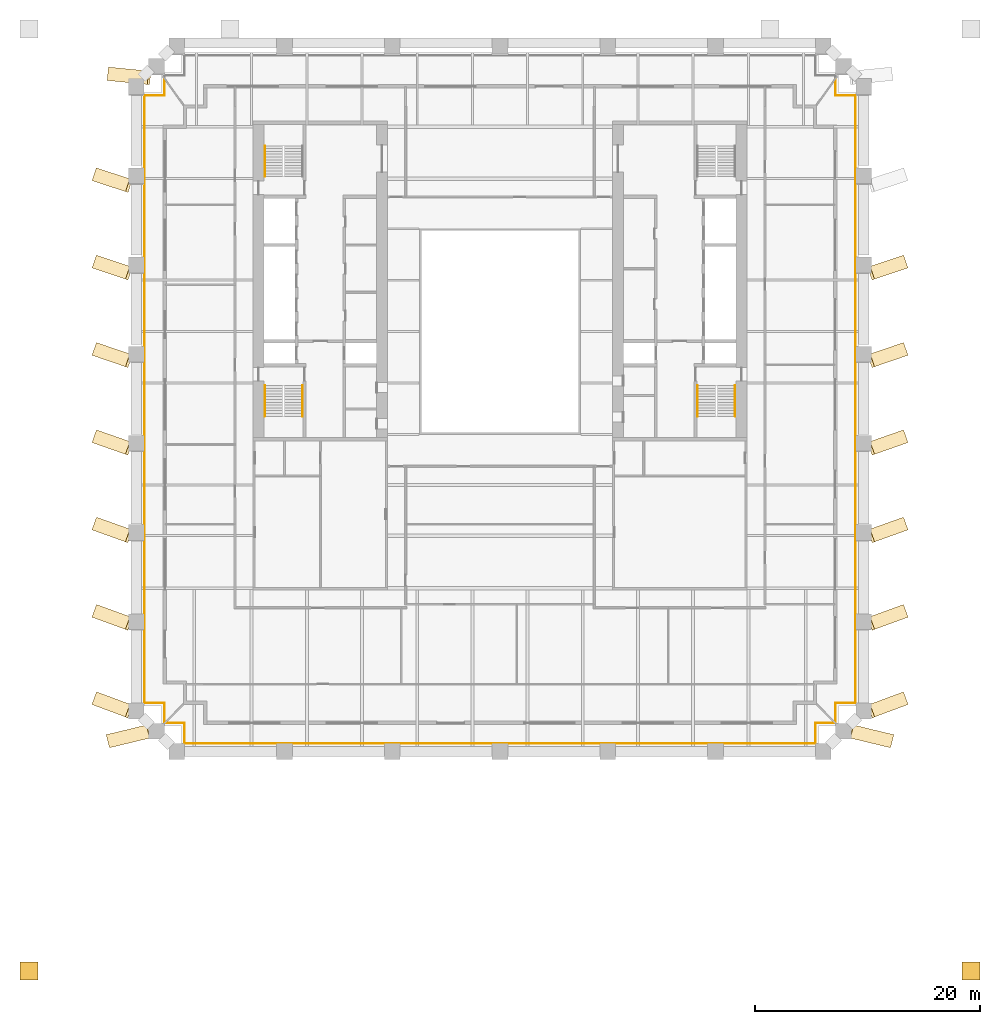
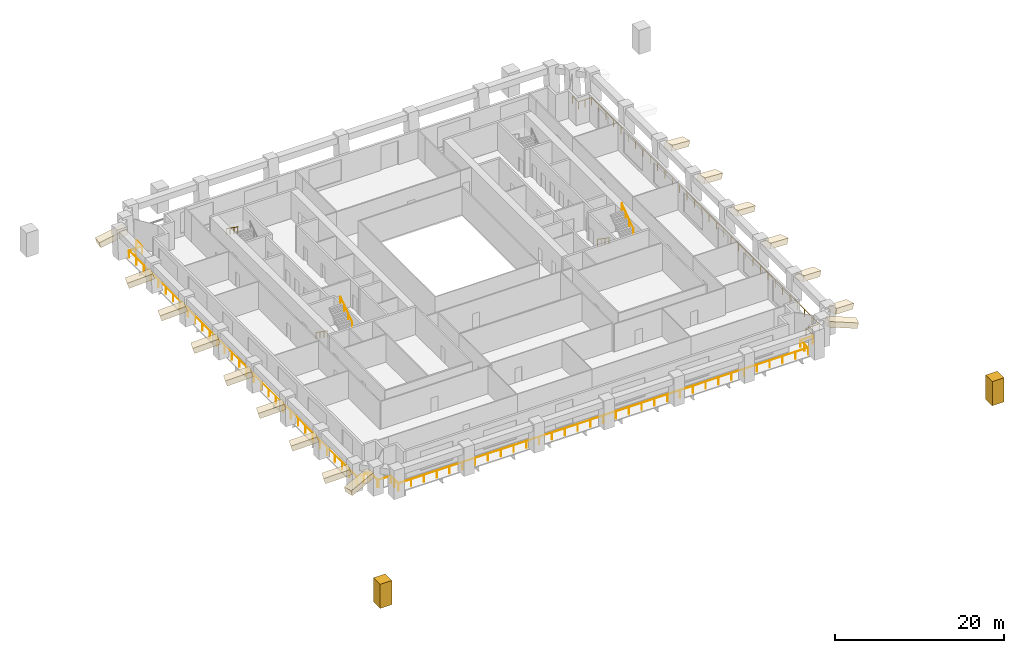
# One storey, part 9 of 10: 18 coverings, 8 railings.
"""IFC4 building model written with IfcOpenShell, lengths in metres."""

from ifc_helpers import new_model, si_unit, direction, frame, origin, origin_2d, place, context, subcontext, project, spatial, rectangle, circle, extrude, material, material_profile, profile_set, type_object, element, save


model = new_model("IFC4")

# Units and contexts
model_context = context("Model", 3, precision=1e-05, world=origin(), true_north=direction((0.0, 1.0)))
body_context = subcontext(model_context, "Body", "Model", "MODEL_VIEW")
ifc_project = project(units=[si_unit("LENGTHUNIT", "METRE"), si_unit("AREAUNIT", "SQUARE_METRE"), si_unit("VOLUMEUNIT", "CUBIC_METRE"), si_unit("PLANEANGLEUNIT", "RADIAN"), si_unit("MASSUNIT", "GRAM", prefix="KILO")], contexts=[model_context])

# Site, building, storey
site_placement = place(None, origin())
site = spatial("IfcSite", under=ifc_project, at=site_placement, CompositionType="ELEMENT")
building_placement = place(site_placement, origin())
building = spatial("IfcBuilding", under=site, at=building_placement, Name="Ogive Exchange Tower", CompositionType="ELEMENT")
storey_placement = place(building_placement, frame((0.0, 0.0, 43.800048828125)))
storey = spatial("IfcBuildingStorey", under=building, at=storey_placement, Name="L08", CompositionType="ELEMENT", Elevation=43.800048828125)

# Railings
ifc_material_1 = material(Name="Stainless steel 316", Category="steel")
railing_type_1 = type_object("IfcRailingType", Name="Guard 1100 stainless steel and glass", PredefinedType="GUARDRAIL", material=ifc_material_1)
railing_1_placement = place(storey_placement, frame((29.7880859375, -27.8798828125, -0.050048828125)))
element("IfcRailing", 1, at=railing_1_placement, inside=storey, type_object=railing_type_1, Name="Loggia guard 1", PredefinedType="GUARDRAIL", context=body_context, shape_type="SweptSolid", body=[
    extrude(circle(Radius=0.02392578125, at=origin_2d()), frame((0.0, 0.0, 1.076171875), z_axis=(-1.0, 0.0, 0.0), x_axis=(0.0, -1.0, 0.0)), (0.0, 0.0, 1.0), 1.7080078125),
    extrude(circle(Radius=0.02392578125, at=origin_2d()), frame((-1.7080078125, 0.0, 1.076171875), z_axis=(0.0, -1.0, 0.0), x_axis=(1.0, 0.0, 0.0)), (0.0, 0.0, 1.0), 1.800048828125),
    extrude(circle(Radius=0.02392578125, at=origin_2d()), frame((-1.7080078125, -1.800048828125, 1.076171875), z_axis=(-1.0, 0.0, 0.0), x_axis=(0.0, -1.0, 0.0)), (0.0, 0.0, 1.0), 56.16015625),
    extrude(circle(Radius=0.02392578125, at=origin_2d()), frame((-57.8681640625, -1.800048828125, 1.076171875), z_axis=(0.0, 1.0, 0.0), x_axis=(-1.0, 0.0, 0.0)), (0.0, 0.0, 1.0), 1.800048828125),
    extrude(circle(Radius=0.02392578125, at=origin_2d()), frame((-57.8681640625, 0.0, 1.076171875), z_axis=(-1.0, 0.0, 0.0), x_axis=(0.0, -1.0, 0.0)), (0.0, 0.0, 1.0), 1.7080078125),
    extrude(circle(Radius=0.02099609375, at=origin_2d()), origin(), (0.0, 0.0, 1.0), 1.052001953125),
    extrude(circle(Radius=0.02099609375, at=origin_2d()), frame((-1.7080078125, 0.0, 0.0)), (0.0, 0.0, 1.0), 1.052001953125),
    extrude(circle(Radius=0.02099609375, at=origin_2d()), frame((-1.7080078125, -0.89990234375, 0.0)), (0.0, 0.0, 1.0), 1.052001953125),
    extrude(circle(Radius=0.02099609375, at=origin_2d()), frame((-1.7080078125, -1.800048828125, 0.0)), (0.0, 0.0, 1.0), 1.052001953125),
    extrude(circle(Radius=0.02099609375, at=origin_2d()), frame((-3.462890625, -1.800048828125, 0.0)), (0.0, 0.0, 1.0), 1.052001953125),
    extrude(circle(Radius=0.02099609375, at=origin_2d()), frame((-5.218017578125, -1.800048828125, 0.0)), (0.0, 0.0, 1.0), 1.052001953125),
    extrude(circle(Radius=0.02099609375, at=origin_2d()), frame((-6.97314453125, -1.800048828125, 0.0)), (0.0, 0.0, 1.0), 1.052001953125),
    extrude(circle(Radius=0.02099609375, at=origin_2d()), frame((-8.72802734375, -1.800048828125, 0.0)), (0.0, 0.0, 1.0), 1.052001953125),
    extrude(circle(Radius=0.02099609375, at=origin_2d()), frame((-10.48291015625, -1.800048828125, 0.0)), (0.0, 0.0, 1.0), 1.052001953125),
    extrude(circle(Radius=0.02099609375, at=origin_2d()), frame((-12.238037109375, -1.800048828125, 0.0)), (0.0, 0.0, 1.0), 1.052001953125),
    extrude(circle(Radius=0.02099609375, at=origin_2d()), frame((-13.9931640625, -1.800048828125, 0.0)), (0.0, 0.0, 1.0), 1.052001953125),
    extrude(circle(Radius=0.02099609375, at=origin_2d()), frame((-15.748046875, -1.800048828125, 0.0)), (0.0, 0.0, 1.0), 1.052001953125),
    extrude(circle(Radius=0.02099609375, at=origin_2d()), frame((-17.5029296875, -1.800048828125, 0.0)), (0.0, 0.0, 1.0), 1.052001953125),
    extrude(circle(Radius=0.02099609375, at=origin_2d()), frame((-19.258056640625, -1.800048828125, 0.0)), (0.0, 0.0, 1.0), 1.052001953125),
    extrude(circle(Radius=0.02099609375, at=origin_2d()), frame((-21.01318359375, -1.800048828125, 0.0)), (0.0, 0.0, 1.0), 1.052001953125),
    extrude(circle(Radius=0.02099609375, at=origin_2d()), frame((-22.76806640625, -1.800048828125, 0.0)), (0.0, 0.0, 1.0), 1.052001953125),
    extrude(circle(Radius=0.02099609375, at=origin_2d()), frame((-24.52294921875, -1.800048828125, 0.0)), (0.0, 0.0, 1.0), 1.052001953125),
    extrude(circle(Radius=0.02099609375, at=origin_2d()), frame((-26.278076171875, -1.800048828125, 0.0)), (0.0, 0.0, 1.0), 1.052001953125),
    extrude(circle(Radius=0.02099609375, at=origin_2d()), frame((-28.033203125, -1.800048828125, 0.0)), (0.0, 0.0, 1.0), 1.052001953125),
    extrude(circle(Radius=0.02099609375, at=origin_2d()), frame((-29.7880859375, -1.800048828125, 0.0)), (0.0, 0.0, 1.0), 1.052001953125),
    extrude(circle(Radius=0.02099609375, at=origin_2d()), frame((-31.54296875, -1.800048828125, 0.0)), (0.0, 0.0, 1.0), 1.052001953125),
    extrude(circle(Radius=0.02099609375, at=origin_2d()), frame((-33.298095703125, -1.800048828125, 0.0)), (0.0, 0.0, 1.0), 1.052001953125),
    extrude(circle(Radius=0.02099609375, at=origin_2d()), frame((-35.05322265625, -1.800048828125, 0.0)), (0.0, 0.0, 1.0), 1.052001953125),
    extrude(circle(Radius=0.02099609375, at=origin_2d()), frame((-36.80810546875, -1.800048828125, 0.0)), (0.0, 0.0, 1.0), 1.052001953125),
    extrude(circle(Radius=0.02099609375, at=origin_2d()), frame((-38.56298828125, -1.800048828125, 0.0)), (0.0, 0.0, 1.0), 1.052001953125),
    extrude(circle(Radius=0.02099609375, at=origin_2d()), frame((-40.318115234375, -1.800048828125, 0.0)), (0.0, 0.0, 1.0), 1.052001953125),
    extrude(circle(Radius=0.02099609375, at=origin_2d()), frame((-42.0732421875, -1.800048828125, 0.0)), (0.0, 0.0, 1.0), 1.052001953125),
    extrude(circle(Radius=0.02099609375, at=origin_2d()), frame((-43.828125, -1.800048828125, 0.0)), (0.0, 0.0, 1.0), 1.052001953125),
    extrude(circle(Radius=0.02099609375, at=origin_2d()), frame((-45.5830078125, -1.800048828125, 0.0)), (0.0, 0.0, 1.0), 1.052001953125),
    extrude(circle(Radius=0.02099609375, at=origin_2d()), frame((-47.338134765625, -1.800048828125, 0.0)), (0.0, 0.0, 1.0), 1.052001953125),
    extrude(circle(Radius=0.02099609375, at=origin_2d()), frame((-49.09326171875, -1.800048828125, 0.0)), (0.0, 0.0, 1.0), 1.052001953125),
    extrude(circle(Radius=0.02099609375, at=origin_2d()), frame((-50.84814453125, -1.800048828125, 0.0)), (0.0, 0.0, 1.0), 1.052001953125),
    extrude(circle(Radius=0.02099609375, at=origin_2d()), frame((-52.60302734375, -1.800048828125, 0.0)), (0.0, 0.0, 1.0), 1.052001953125),
    extrude(circle(Radius=0.02099609375, at=origin_2d()), frame((-54.358154296875, -1.800048828125, 0.0)), (0.0, 0.0, 1.0), 1.052001953125),
    extrude(circle(Radius=0.02099609375, at=origin_2d()), frame((-56.11328125, -1.800048828125, 0.0)), (0.0, 0.0, 1.0), 1.052001953125),
    extrude(circle(Radius=0.02099609375, at=origin_2d()), frame((-57.8681640625, -1.800048828125, 0.0)), (0.0, 0.0, 1.0), 1.052001953125),
    extrude(circle(Radius=0.02099609375, at=origin_2d()), frame((-57.8681640625, -0.89990234375, 0.0)), (0.0, 0.0, 1.0), 1.052001953125),
    extrude(circle(Radius=0.02099609375, at=origin_2d()), frame((-57.8681640625, 0.0, 0.0)), (0.0, 0.0, 1.0), 1.052001953125),
    extrude(circle(Radius=0.02099609375, at=origin_2d()), frame((-59.576171875, 0.0, 0.0)), (0.0, 0.0, 1.0), 1.052001953125),
])
railing_2_placement = place(storey_placement, frame((-29.8798828125, -27.7880859375, -0.050048828125)))
element("IfcRailing", 2, at=railing_2_placement, inside=storey, type_object=railing_type_1, Name="Loggia guard 2", PredefinedType="GUARDRAIL", context=body_context, shape_type="SweptSolid", body=[
    extrude(circle(Radius=0.02392578125, at=origin_2d()), frame((0.0, 0.0, 1.076171875), z_axis=(0.0, 1.0, 0.0), x_axis=(-1.0, 0.0, 0.0)), (0.0, 0.0, 1.0), 1.7080078125),
    extrude(circle(Radius=0.02392578125, at=origin_2d()), frame((0.0, 1.7080078125, 1.076171875), z_axis=(-1.0, 0.0, 0.0), x_axis=(0.0, -1.0, 0.0)), (0.0, 0.0, 1.0), 1.800048828125),
    extrude(circle(Radius=0.02392578125, at=origin_2d()), frame((-1.800048828125, 1.7080078125, 1.076171875), z_axis=(0.0, 1.0, 0.0), x_axis=(-1.0, 0.0, 0.0)), (0.0, 0.0, 1.0), 54.08740234375),
    extrude(circle(Radius=0.02392578125, at=origin_2d()), frame((-1.800048828125, 55.79541015625, 1.076171875), z_axis=(1.0, 0.0, 0.0), x_axis=(0.0, 1.0, 0.0)), (0.0, 0.0, 1.0), 1.800048828125),
    extrude(circle(Radius=0.02392578125, at=origin_2d()), frame((0.0, 55.79541015625, 1.076171875), z_axis=(0.0, 1.0, 0.0), x_axis=(-1.0, 0.0, 0.0)), (0.0, 0.0, 1.0), 1.41064453125),
    extrude(circle(Radius=0.02099609375, at=origin_2d()), origin(), (0.0, 0.0, 1.0), 1.052001953125),
    extrude(circle(Radius=0.02099609375, at=origin_2d()), frame((0.0, 1.7080078125, 0.0)), (0.0, 0.0, 1.0), 1.052001953125),
    extrude(circle(Radius=0.02099609375, at=origin_2d()), frame((-0.89990234375, 1.7080078125, 0.0)), (0.0, 0.0, 1.0), 1.052001953125),
    extrude(circle(Radius=0.02099609375, at=origin_2d()), frame((-1.800048828125, 1.7080078125, 0.0)), (0.0, 0.0, 1.0), 1.052001953125),
    extrude(circle(Radius=0.02099609375, at=origin_2d()), frame((-1.800048828125, 3.452880859375, 0.0)), (0.0, 0.0, 1.0), 1.052001953125),
    extrude(circle(Radius=0.02099609375, at=origin_2d()), frame((-1.800048828125, 5.197509765625, 0.0)), (0.0, 0.0, 1.0), 1.052001953125),
    extrude(circle(Radius=0.02099609375, at=origin_2d()), frame((-1.800048828125, 6.9423828125, 0.0)), (0.0, 0.0, 1.0), 1.052001953125),
    extrude(circle(Radius=0.02099609375, at=origin_2d()), frame((-1.800048828125, 8.68701171875, 0.0)), (0.0, 0.0, 1.0), 1.052001953125),
    extrude(circle(Radius=0.02099609375, at=origin_2d()), frame((-1.800048828125, 10.431884765625, 0.0)), (0.0, 0.0, 1.0), 1.052001953125),
    extrude(circle(Radius=0.02099609375, at=origin_2d()), frame((-1.800048828125, 12.176513671875, 0.0)), (0.0, 0.0, 1.0), 1.052001953125),
    extrude(circle(Radius=0.02099609375, at=origin_2d()), frame((-1.800048828125, 13.92138671875, 0.0)), (0.0, 0.0, 1.0), 1.052001953125),
    extrude(circle(Radius=0.02099609375, at=origin_2d()), frame((-1.800048828125, 15.666015625, 0.0)), (0.0, 0.0, 1.0), 1.052001953125),
    extrude(circle(Radius=0.02099609375, at=origin_2d()), frame((-1.800048828125, 17.410888671875, 0.0)), (0.0, 0.0, 1.0), 1.052001953125),
    extrude(circle(Radius=0.02099609375, at=origin_2d()), frame((-1.800048828125, 19.155517578125, 0.0)), (0.0, 0.0, 1.0), 1.052001953125),
    extrude(circle(Radius=0.02099609375, at=origin_2d()), frame((-1.800048828125, 20.900390625, 0.0)), (0.0, 0.0, 1.0), 1.052001953125),
    extrude(circle(Radius=0.02099609375, at=origin_2d()), frame((-1.800048828125, 22.64501953125, 0.0)), (0.0, 0.0, 1.0), 1.052001953125),
    extrude(circle(Radius=0.02099609375, at=origin_2d()), frame((-1.800048828125, 24.389892578125, 0.0)), (0.0, 0.0, 1.0), 1.052001953125),
    extrude(circle(Radius=0.02099609375, at=origin_2d()), frame((-1.800048828125, 26.134521484375, 0.0)), (0.0, 0.0, 1.0), 1.052001953125),
    extrude(circle(Radius=0.02099609375, at=origin_2d()), frame((-1.800048828125, 27.87939453125, 0.0)), (0.0, 0.0, 1.0), 1.052001953125),
    extrude(circle(Radius=0.02099609375, at=origin_2d()), frame((-1.800048828125, 29.6240234375, 0.0)), (0.0, 0.0, 1.0), 1.052001953125),
    extrude(circle(Radius=0.02099609375, at=origin_2d()), frame((-1.800048828125, 31.368896484375, 0.0)), (0.0, 0.0, 1.0), 1.052001953125),
    extrude(circle(Radius=0.02099609375, at=origin_2d()), frame((-1.800048828125, 33.113525390625, 0.0)), (0.0, 0.0, 1.0), 1.052001953125),
    extrude(circle(Radius=0.02099609375, at=origin_2d()), frame((-1.800048828125, 34.8583984375, 0.0)), (0.0, 0.0, 1.0), 1.052001953125),
    extrude(circle(Radius=0.02099609375, at=origin_2d()), frame((-1.800048828125, 36.60302734375, 0.0)), (0.0, 0.0, 1.0), 1.052001953125),
    extrude(circle(Radius=0.02099609375, at=origin_2d()), frame((-1.800048828125, 38.347900390625, 0.0)), (0.0, 0.0, 1.0), 1.052001953125),
    extrude(circle(Radius=0.02099609375, at=origin_2d()), frame((-1.800048828125, 40.092529296875, 0.0)), (0.0, 0.0, 1.0), 1.052001953125),
    extrude(circle(Radius=0.02099609375, at=origin_2d()), frame((-1.800048828125, 41.83740234375, 0.0)), (0.0, 0.0, 1.0), 1.052001953125),
    extrude(circle(Radius=0.02099609375, at=origin_2d()), frame((-1.800048828125, 43.58203125, 0.0)), (0.0, 0.0, 1.0), 1.052001953125),
    extrude(circle(Radius=0.02099609375, at=origin_2d()), frame((-1.800048828125, 45.326904296875, 0.0)), (0.0, 0.0, 1.0), 1.052001953125),
    extrude(circle(Radius=0.02099609375, at=origin_2d()), frame((-1.800048828125, 47.071533203125, 0.0)), (0.0, 0.0, 1.0), 1.052001953125),
    extrude(circle(Radius=0.02099609375, at=origin_2d()), frame((-1.800048828125, 48.81640625, 0.0)), (0.0, 0.0, 1.0), 1.052001953125),
    extrude(circle(Radius=0.02099609375, at=origin_2d()), frame((-1.800048828125, 50.56103515625, 0.0)), (0.0, 0.0, 1.0), 1.052001953125),
    extrude(circle(Radius=0.02099609375, at=origin_2d()), frame((-1.800048828125, 52.305908203125, 0.0)), (0.0, 0.0, 1.0), 1.052001953125),
    extrude(circle(Radius=0.02099609375, at=origin_2d()), frame((-1.800048828125, 54.050537109375, 0.0)), (0.0, 0.0, 1.0), 1.052001953125),
    extrude(circle(Radius=0.02099609375, at=origin_2d()), frame((-1.800048828125, 55.79541015625, 0.0)), (0.0, 0.0, 1.0), 1.052001953125),
    extrude(circle(Radius=0.02099609375, at=origin_2d()), frame((-0.89990234375, 55.79541015625, 0.0)), (0.0, 0.0, 1.0), 1.052001953125),
    extrude(circle(Radius=0.02099609375, at=origin_2d()), frame((0.0, 55.79541015625, 0.0)), (0.0, 0.0, 1.0), 1.052001953125),
    extrude(circle(Radius=0.02099609375, at=origin_2d()), frame((0.0, 57.2060546875, 0.0)), (0.0, 0.0, 1.0), 1.052001953125),
])
railing_3_placement = place(storey_placement, frame((29.8798828125, 29.41796875, -0.050048828125)))
element("IfcRailing", 3, at=railing_3_placement, inside=storey, type_object=railing_type_1, Name="Loggia guard 4", PredefinedType="GUARDRAIL", context=body_context, shape_type="SweptSolid", body=[
    extrude(circle(Radius=0.02392578125, at=origin_2d()), frame((0.0, 0.0, 1.076171875), z_axis=(0.0, -1.0, 0.0), x_axis=(1.0, 0.0, 0.0)), (0.0, 0.0, 1.0), 1.41064453125),
    extrude(circle(Radius=0.02392578125, at=origin_2d()), frame((0.0, -1.41064453125, 1.076171875), z_axis=(1.0, 0.0, 0.0), x_axis=(0.0, 1.0, 0.0)), (0.0, 0.0, 1.0), 1.800048828125),
    extrude(circle(Radius=0.02392578125, at=origin_2d()), frame((1.800048828125, -1.41064453125, 1.076171875), z_axis=(0.0, -1.0, 0.0), x_axis=(1.0, 0.0, 0.0)), (0.0, 0.0, 1.0), 54.08740234375),
    extrude(circle(Radius=0.02392578125, at=origin_2d()), frame((1.800048828125, -55.498046875, 1.076171875), z_axis=(-1.0, 0.0, 0.0), x_axis=(0.0, -1.0, 0.0)), (0.0, 0.0, 1.0), 1.800048828125),
    extrude(circle(Radius=0.02392578125, at=origin_2d()), frame((0.0, -55.498046875, 1.076171875), z_axis=(0.0, -1.0, 0.0), x_axis=(1.0, 0.0, 0.0)), (0.0, 0.0, 1.0), 1.7080078125),
    extrude(circle(Radius=0.02099609375, at=origin_2d()), origin(), (0.0, 0.0, 1.0), 1.052001953125),
    extrude(circle(Radius=0.02099609375, at=origin_2d()), frame((0.0, -1.41064453125, 0.0)), (0.0, 0.0, 1.0), 1.052001953125),
    extrude(circle(Radius=0.02099609375, at=origin_2d()), frame((0.89990234375, -1.41064453125, 0.0)), (0.0, 0.0, 1.0), 1.052001953125),
    extrude(circle(Radius=0.02099609375, at=origin_2d()), frame((1.800048828125, -1.41064453125, 0.0)), (0.0, 0.0, 1.0), 1.052001953125),
    extrude(circle(Radius=0.02099609375, at=origin_2d()), frame((1.800048828125, -3.155517578125, 0.0)), (0.0, 0.0, 1.0), 1.052001953125),
    extrude(circle(Radius=0.02099609375, at=origin_2d()), frame((1.800048828125, -4.900146484375, 0.0)), (0.0, 0.0, 1.0), 1.052001953125),
    extrude(circle(Radius=0.02099609375, at=origin_2d()), frame((1.800048828125, -6.64501953125, 0.0)), (0.0, 0.0, 1.0), 1.052001953125),
    extrude(circle(Radius=0.02099609375, at=origin_2d()), frame((1.800048828125, -8.3896484375, 0.0)), (0.0, 0.0, 1.0), 1.052001953125),
    extrude(circle(Radius=0.02099609375, at=origin_2d()), frame((1.800048828125, -10.134521484375, 0.0)), (0.0, 0.0, 1.0), 1.052001953125),
    extrude(circle(Radius=0.02099609375, at=origin_2d()), frame((1.800048828125, -11.879150390625, 0.0)), (0.0, 0.0, 1.0), 1.052001953125),
    extrude(circle(Radius=0.02099609375, at=origin_2d()), frame((1.800048828125, -13.6240234375, 0.0)), (0.0, 0.0, 1.0), 1.052001953125),
    extrude(circle(Radius=0.02099609375, at=origin_2d()), frame((1.800048828125, -15.36865234375, 0.0)), (0.0, 0.0, 1.0), 1.052001953125),
    extrude(circle(Radius=0.02099609375, at=origin_2d()), frame((1.800048828125, -17.113525390625, 0.0)), (0.0, 0.0, 1.0), 1.052001953125),
    extrude(circle(Radius=0.02099609375, at=origin_2d()), frame((1.800048828125, -18.858154296875, 0.0)), (0.0, 0.0, 1.0), 1.052001953125),
    extrude(circle(Radius=0.02099609375, at=origin_2d()), frame((1.800048828125, -20.60302734375, 0.0)), (0.0, 0.0, 1.0), 1.052001953125),
    extrude(circle(Radius=0.02099609375, at=origin_2d()), frame((1.800048828125, -22.34765625, 0.0)), (0.0, 0.0, 1.0), 1.052001953125),
    extrude(circle(Radius=0.02099609375, at=origin_2d()), frame((1.800048828125, -24.092529296875, 0.0)), (0.0, 0.0, 1.0), 1.052001953125),
    extrude(circle(Radius=0.02099609375, at=origin_2d()), frame((1.800048828125, -25.837158203125, 0.0)), (0.0, 0.0, 1.0), 1.052001953125),
    extrude(circle(Radius=0.02099609375, at=origin_2d()), frame((1.800048828125, -27.58203125, 0.0)), (0.0, 0.0, 1.0), 1.052001953125),
    extrude(circle(Radius=0.02099609375, at=origin_2d()), frame((1.800048828125, -29.32666015625, 0.0)), (0.0, 0.0, 1.0), 1.052001953125),
    extrude(circle(Radius=0.02099609375, at=origin_2d()), frame((1.800048828125, -31.071533203125, 0.0)), (0.0, 0.0, 1.0), 1.052001953125),
    extrude(circle(Radius=0.02099609375, at=origin_2d()), frame((1.800048828125, -32.816162109375, 0.0)), (0.0, 0.0, 1.0), 1.052001953125),
    extrude(circle(Radius=0.02099609375, at=origin_2d()), frame((1.800048828125, -34.56103515625, 0.0)), (0.0, 0.0, 1.0), 1.052001953125),
    extrude(circle(Radius=0.02099609375, at=origin_2d()), frame((1.800048828125, -36.3056640625, 0.0)), (0.0, 0.0, 1.0), 1.052001953125),
    extrude(circle(Radius=0.02099609375, at=origin_2d()), frame((1.800048828125, -38.050537109375, 0.0)), (0.0, 0.0, 1.0), 1.052001953125),
    extrude(circle(Radius=0.02099609375, at=origin_2d()), frame((1.800048828125, -39.795166015625, 0.0)), (0.0, 0.0, 1.0), 1.052001953125),
    extrude(circle(Radius=0.02099609375, at=origin_2d()), frame((1.800048828125, -41.5400390625, 0.0)), (0.0, 0.0, 1.0), 1.052001953125),
    extrude(circle(Radius=0.02099609375, at=origin_2d()), frame((1.800048828125, -43.28466796875, 0.0)), (0.0, 0.0, 1.0), 1.052001953125),
    extrude(circle(Radius=0.02099609375, at=origin_2d()), frame((1.800048828125, -45.029541015625, 0.0)), (0.0, 0.0, 1.0), 1.052001953125),
    extrude(circle(Radius=0.02099609375, at=origin_2d()), frame((1.800048828125, -46.774169921875, 0.0)), (0.0, 0.0, 1.0), 1.052001953125),
    extrude(circle(Radius=0.02099609375, at=origin_2d()), frame((1.800048828125, -48.51904296875, 0.0)), (0.0, 0.0, 1.0), 1.052001953125),
    extrude(circle(Radius=0.02099609375, at=origin_2d()), frame((1.800048828125, -50.263671875, 0.0)), (0.0, 0.0, 1.0), 1.052001953125),
    extrude(circle(Radius=0.02099609375, at=origin_2d()), frame((1.800048828125, -52.008544921875, 0.0)), (0.0, 0.0, 1.0), 1.052001953125),
    extrude(circle(Radius=0.02099609375, at=origin_2d()), frame((1.800048828125, -53.753173828125, 0.0)), (0.0, 0.0, 1.0), 1.052001953125),
    extrude(circle(Radius=0.02099609375, at=origin_2d()), frame((1.800048828125, -55.498046875, 0.0)), (0.0, 0.0, 1.0), 1.052001953125),
    extrude(circle(Radius=0.02099609375, at=origin_2d()), frame((0.89990234375, -55.498046875, 0.0)), (0.0, 0.0, 1.0), 1.052001953125),
    extrude(circle(Radius=0.02099609375, at=origin_2d()), frame((0.0, -55.498046875, 0.0)), (0.0, 0.0, 1.0), 1.052001953125),
    extrude(circle(Radius=0.02099609375, at=origin_2d()), frame((0.0, -57.2060546875, 0.0)), (0.0, 0.0, 1.0), 1.052001953125),
])

# Coverings
ifc_material_2 = material(Name="Precast concrete C50/60", Category="concrete")
ifc_material_profile_1 = material_profile(ifc_material_2, rectangle(XDim=1.60009765625, YDim=1.60009765625, at=origin_2d()), Name="CORNER TURRET 3 1600 x 1600")
ifc_profile_set_1 = profile_set([ifc_material_profile_1], Name="Precast concrete C50/60")
covering_type_1 = type_object("IfcCoveringType", Name="Precast corner turret stage 3 1600 x 1600 C50/60", PredefinedType="CLADDING", material=ifc_profile_set_1)
for number, where, z_axis, x_axis, name in (
    (4, (-41.949951171875, -49.949951171875, 0.800048828125), (0.0, 0.0, 1.0), (1.0, 0.0, 0.0), "Corner turret 5 stage 3"),
    (5, (41.949951171875, -49.949951171875, 0.800048828125), (0.0, 0.0, 1.0), (1.0, 0.0, 0.0), "Corner turret 6 stage 3"),
):
    element("IfcCovering", number, at=place(storey_placement, frame(where, z_axis=z_axis, x_axis=x_axis)), inside=storey, type_object=covering_type_1, Name=name, PredefinedType="CLADDING", context=body_context, shape_type="SweptSolid", body=[
        extrude(rectangle(XDim=1.60009765625, YDim=1.60009765625, at=origin_2d()), origin(), (0.0, 0.0, 1.0), 3.5),
    ])
ifc_material_profile_2 = material_profile(ifc_material_2, rectangle(XDim=1.199951171875, YDim=0.800048828125, at=origin_2d()), Name="FLYING BUTTRESS 3 1200 x 800")
ifc_profile_set_2 = profile_set([ifc_material_profile_2], Name="Precast concrete C50/60")
covering_type_2 = type_object("IfcCoveringType", Name="Precast flying buttress stage 3 1200 x 800 C50/60", PredefinedType="CLADDING", material=ifc_profile_set_2)
covering_1_placement = place(storey_placement, frame((-34.8330078125, 29.949951171875, 2.10595703125), z_axis=(0.962713301589, -0.094001646305, 0.253666689646), x_axis=(0.097180248137, 0.995266798086, 0.0)))
element("IfcCovering", 6, at=covering_1_placement, inside=storey, type_object=covering_type_2, Name="Flying buttress 1 stage 3", PredefinedType="CLADDING", context=body_context, shape_type="SweptSolid", body=[
    extrude(rectangle(XDim=1.199951171875, YDim=0.800048828125, at=origin_2d()), origin(), (0.0, 0.0, 1.0), 3.7216796875),
])
for number, where, z_axis, x_axis, name in (
    (7, (-34.8330078125, -29.462890625, 2.10595703125), (0.941799556737, 0.22678656538, 0.248156097431), (-0.234109496796, 0.972210236271, 0.0), "Flying buttress 3 stage 3"),
    (8, (34.8330078125, -29.462890625, 2.10595703125), (-0.941799556737, 0.22678656538, 0.248156097431), (-0.234109496796, -0.972210236271, 0.0), "Flying buttress 4 stage 3"),
):
    element("IfcCovering", number, at=place(storey_placement, frame(where, z_axis=z_axis, x_axis=x_axis)), inside=storey, type_object=covering_type_2, Name=name, PredefinedType="CLADDING", context=body_context, shape_type="SweptSolid", body=[
        extrude(rectangle(XDim=1.199951171875, YDim=0.800048828125, at=origin_2d()), origin(), (0.0, 0.0, 1.0), 3.804443359375),
    ])
covering_2_placement = place(storey_placement, frame((-36.032958984375, 20.972900390625, 2.10595703125), z_axis=(0.910389128147, -0.296930813199, 0.288138382595), x_axis=(0.310081758742, 0.950709894182, 0.0)))
element("IfcCovering", 9, at=covering_2_placement, inside=storey, type_object=covering_type_2, Name="Flying buttress 5 stage 3", PredefinedType="CLADDING", context=body_context, shape_type="SweptSolid", body=[
    extrude(rectangle(XDim=1.199951171875, YDim=0.800048828125, at=origin_2d()), origin(), (0.0, 0.0, 1.0), 3.276611328125),
])
for number, where, z_axis, x_axis, name in (
    (10, (36.032958984375, 13.197021484375, 2.10595703125), (-0.908376960477, -0.303634924422, 0.287501531033), (0.317019428204, -0.948419043536, 0.0), "Flying buttress 7 stage 3"),
    (11, (-36.032958984375, 13.197021484375, 2.10595703125), (0.908376960477, -0.303634924422, 0.287501531033), (0.317019428204, 0.948419043536, 0.0), "Flying buttress 8 stage 3"),
):
    element("IfcCovering", number, at=place(storey_placement, frame(where, z_axis=z_axis, x_axis=x_axis)), inside=storey, type_object=covering_type_2, Name=name, PredefinedType="CLADDING", context=body_context, shape_type="SweptSolid", body=[
        extrude(rectangle(XDim=1.199951171875, YDim=0.800048828125, at=origin_2d()), origin(), (0.0, 0.0, 1.0), 3.28369140625),
    ])
for number, where, z_axis, x_axis, name in (
    (12, (-36.032958984375, 5.419921875, 2.10595703125), (0.906433455694, -0.309958993116, 0.286886411292), (0.323559963554, 0.946207667473, 0.0), "Flying buttress 9 stage 3"),
    (13, (36.032958984375, 5.419921875, 2.10595703125), (-0.906433455694, -0.309958993116, 0.286886411292), (0.323559963554, -0.946207667473, 0.0), "Flying buttress 10 stage 3"),
):
    element("IfcCovering", number, at=place(storey_placement, frame(where, z_axis=z_axis, x_axis=x_axis)), inside=storey, type_object=covering_type_2, Name=name, PredefinedType="CLADDING", context=body_context, shape_type="SweptSolid", body=[
        extrude(rectangle(XDim=1.199951171875, YDim=0.800048828125, at=origin_2d()), origin(), (0.0, 0.0, 1.0), 3.290771484375),
    ])
for number, where, z_axis, x_axis, name in (
    (14, (-36.032958984375, -2.35693359375, 2.10595703125), (0.904458574486, -0.316242186136, 0.286261360905), (0.330054446149, 0.943961896782, 0.0), "Flying buttress 11 stage 3"),
    (15, (36.032958984375, -2.35693359375, 2.10595703125), (-0.904458574486, -0.316242186136, 0.286261360905), (0.330054446149, -0.943961896782, 0.0), "Flying buttress 12 stage 3"),
):
    element("IfcCovering", number, at=place(storey_placement, frame(where, z_axis=z_axis, x_axis=x_axis)), inside=storey, type_object=covering_type_2, Name=name, PredefinedType="CLADDING", context=body_context, shape_type="SweptSolid", body=[
        extrude(rectangle(XDim=1.199951171875, YDim=0.800048828125, at=origin_2d()), origin(), (0.0, 0.0, 1.0), 3.298095703125),
    ])
for number, where, z_axis, x_axis, name in (
    (16, (36.032958984375, -10.133056640625, 2.10595703125), (-0.90236702735, -0.322748723974, 0.285599385723), (0.336775737707, -0.941584888628, 0.0), "Flying buttress 13 stage 3"),
    (17, (-36.032958984375, -10.133056640625, 2.10595703125), (0.90236702735, -0.322748723974, 0.285599385723), (0.336775737707, 0.941584888628, 0.0), "Flying buttress 14 stage 3"),
):
    element("IfcCovering", number, at=place(storey_placement, frame(where, z_axis=z_axis, x_axis=x_axis)), inside=storey, type_object=covering_type_2, Name=name, PredefinedType="CLADDING", context=body_context, shape_type="SweptSolid", body=[
        extrude(rectangle(XDim=1.199951171875, YDim=0.800048828125, at=origin_2d()), origin(), (0.0, 0.0, 1.0), 3.3056640625),
    ])
for number, where, z_axis, x_axis, name in (
    (18, (-36.032958984375, -17.909912109375, 2.10595703125), (0.900308477092, -0.329012714865, 0.284947854061), (0.343242512991, 0.939246813823, 0.0), "Flying buttress 15 stage 3"),
    (19, (36.032958984375, -17.909912109375, 2.10595703125), (-0.900308477092, -0.329012714865, 0.284947854061), (0.343242512991, -0.939246813823, 0.0), "Flying buttress 16 stage 3"),
):
    element("IfcCovering", number, at=place(storey_placement, frame(where, z_axis=z_axis, x_axis=x_axis)), inside=storey, type_object=covering_type_2, Name=name, PredefinedType="CLADDING", context=body_context, shape_type="SweptSolid", body=[
        extrude(rectangle(XDim=1.199951171875, YDim=0.800048828125, at=origin_2d()), origin(), (0.0, 0.0, 1.0), 3.313232421875),
    ])
for number, where, z_axis, x_axis, name in (
    (20, (-36.032958984375, -25.68701171875, 2.10595703125), (0.898242270899, -0.335168318303, 0.284293899293), (0.349593533626, 0.93690146827, 0.0), "Flying buttress 17 stage 3"),
    (21, (36.032958984375, -25.68701171875, 2.10595703125), (-0.898242270899, -0.335168318303, 0.284293899293), (0.349593533626, -0.93690146827, 0.0), "Flying buttress 18 stage 3"),
):
    element("IfcCovering", number, at=place(storey_placement, frame(where, z_axis=z_axis, x_axis=x_axis)), inside=storey, type_object=covering_type_2, Name=name, PredefinedType="CLADDING", context=body_context, shape_type="SweptSolid", body=[
        extrude(rectangle(XDim=1.199951171875, YDim=0.800048828125, at=origin_2d()), origin(), (0.0, 0.0, 1.0), 3.32080078125),
    ])

# Railings
ifc_material_3 = material(Name="Stainless steel", Category="steel")
railing_type_2 = type_object("IfcRailingType", Name="Stair handrail 900", PredefinedType="HANDRAIL", material=ifc_material_3)
railing_4_placement = place(storey_placement, frame((-20.949951171875, 2.199951171875, 0.175048828125)))
element("IfcRailing", 22, at=railing_4_placement, inside=storey, type_object=railing_type_2, Name="L08 ST1 stair handrail 1", PredefinedType="HANDRAIL", context=body_context, shape_type="SweptSolid", body=[
    extrude(circle(Radius=0.02392578125, at=origin_2d()), frame((0.0, 0.0, 0.8759765625), z_axis=(0.0, -0.819259255306, 0.573423292687), x_axis=(1.0, 0.0, 0.0)), (0.0, 0.0, 1.0), 3.356689453125),
    extrude(circle(Radius=0.02099609375, at=origin_2d()), origin(), (0.0, 0.0, 1.0), 0.851806640625),
    extrude(circle(Radius=0.02099609375, at=origin_2d()), frame((0.0, -0.916748046875, 0.6416015625)), (0.0, 0.0, 1.0), 0.851806640625),
    extrude(circle(Radius=0.02099609375, at=origin_2d()), frame((0.0, -1.833251953125, 1.283203125)), (0.0, 0.0, 1.0), 0.851806640625),
    extrude(circle(Radius=0.02099609375, at=origin_2d()), frame((0.0, -2.75, 1.9248046875)), (0.0, 0.0, 1.0), 0.851806640625),
])
railing_5_placement = place(storey_placement, frame((-17.60009765625, -0.550048828125, 2.27490234375)))
element("IfcRailing", 23, at=railing_5_placement, inside=storey, type_object=railing_type_2, Name="L08 ST1 stair handrail 2", PredefinedType="HANDRAIL", context=body_context, shape_type="SweptSolid", body=[
    extrude(circle(Radius=0.02392578125, at=origin_2d()), frame((0.0, 0.0, 0.8759765625), z_axis=(0.0, 0.819225086817, 0.573472106672), x_axis=(-1.0, 0.0, 0.0)), (0.0, 0.0, 1.0), 3.35693359375),
    extrude(circle(Radius=0.02099609375, at=origin_2d()), origin(), (0.0, 0.0, 1.0), 0.851806640625),
    extrude(circle(Radius=0.02099609375, at=origin_2d()), frame((0.0, 0.916748046875, 0.6416015625)), (0.0, 0.0, 1.0), 0.851806640625),
    extrude(circle(Radius=0.02099609375, at=origin_2d()), frame((0.0, 1.833251953125, 1.283447265625)), (0.0, 0.0, 1.0), 0.851806640625),
    extrude(circle(Radius=0.02099609375, at=origin_2d()), frame((0.0, 2.75, 1.925048828125)), (0.0, 0.0, 1.0), 0.851806640625),
])
railing_6_placement = place(storey_placement, frame((-20.949951171875, 23.550048828125, 2.27490234375)))
element("IfcRailing", 24, at=railing_6_placement, inside=storey, type_object=railing_type_2, Name="L08 ST2 stair handrail 2", PredefinedType="HANDRAIL", context=body_context, shape_type="SweptSolid", body=[
    extrude(circle(Radius=0.02392578125, at=origin_2d()), frame((0.0, 0.0, 0.8759765625), z_axis=(0.0, -0.819225086817, 0.573472106672), x_axis=(1.0, 0.0, 0.0)), (0.0, 0.0, 1.0), 3.35693359375),
    extrude(circle(Radius=0.02099609375, at=origin_2d()), origin(), (0.0, 0.0, 1.0), 0.851806640625),
    extrude(circle(Radius=0.02099609375, at=origin_2d()), frame((0.0, -0.916748046875, 0.6416015625)), (0.0, 0.0, 1.0), 0.851806640625),
    extrude(circle(Radius=0.02099609375, at=origin_2d()), frame((0.0, -1.833251953125, 1.283447265625)), (0.0, 0.0, 1.0), 0.851806640625),
    extrude(circle(Radius=0.02099609375, at=origin_2d()), frame((0.0, -2.75, 1.925048828125)), (0.0, 0.0, 1.0), 0.851806640625),
])
railing_7_placement = place(storey_placement, frame((17.60009765625, 2.199951171875, 0.175048828125)))
element("IfcRailing", 25, at=railing_7_placement, inside=storey, type_object=railing_type_2, Name="L08 ST3 stair handrail 1", PredefinedType="HANDRAIL", context=body_context, shape_type="SweptSolid", body=[
    extrude(circle(Radius=0.02392578125, at=origin_2d()), frame((0.0, 0.0, 0.8759765625), z_axis=(0.0, -0.819259255306, 0.573423292687), x_axis=(1.0, 0.0, 0.0)), (0.0, 0.0, 1.0), 3.356689453125),
    extrude(circle(Radius=0.02099609375, at=origin_2d()), origin(), (0.0, 0.0, 1.0), 0.851806640625),
    extrude(circle(Radius=0.02099609375, at=origin_2d()), frame((0.0, -0.916748046875, 0.6416015625)), (0.0, 0.0, 1.0), 0.851806640625),
    extrude(circle(Radius=0.02099609375, at=origin_2d()), frame((0.0, -1.833251953125, 1.283203125)), (0.0, 0.0, 1.0), 0.851806640625),
    extrude(circle(Radius=0.02099609375, at=origin_2d()), frame((0.0, -2.75, 1.9248046875)), (0.0, 0.0, 1.0), 0.851806640625),
])
railing_8_placement = place(storey_placement, frame((20.949951171875, -0.550048828125, 2.27490234375)))
element("IfcRailing", 26, at=railing_8_placement, inside=storey, type_object=railing_type_2, Name="L08 ST3 stair handrail 2", PredefinedType="HANDRAIL", context=body_context, shape_type="SweptSolid", body=[
    extrude(circle(Radius=0.02392578125, at=origin_2d()), frame((0.0, 0.0, 0.8759765625), z_axis=(0.0, 0.819225086817, 0.573472106672), x_axis=(-1.0, 0.0, 0.0)), (0.0, 0.0, 1.0), 3.35693359375),
    extrude(circle(Radius=0.02099609375, at=origin_2d()), origin(), (0.0, 0.0, 1.0), 0.851806640625),
    extrude(circle(Radius=0.02099609375, at=origin_2d()), frame((0.0, 0.916748046875, 0.6416015625)), (0.0, 0.0, 1.0), 0.851806640625),
    extrude(circle(Radius=0.02099609375, at=origin_2d()), frame((0.0, 1.833251953125, 1.283447265625)), (0.0, 0.0, 1.0), 0.851806640625),
    extrude(circle(Radius=0.02099609375, at=origin_2d()), frame((0.0, 2.75, 1.925048828125)), (0.0, 0.0, 1.0), 0.851806640625),
])

save(model, "model.ifc")
